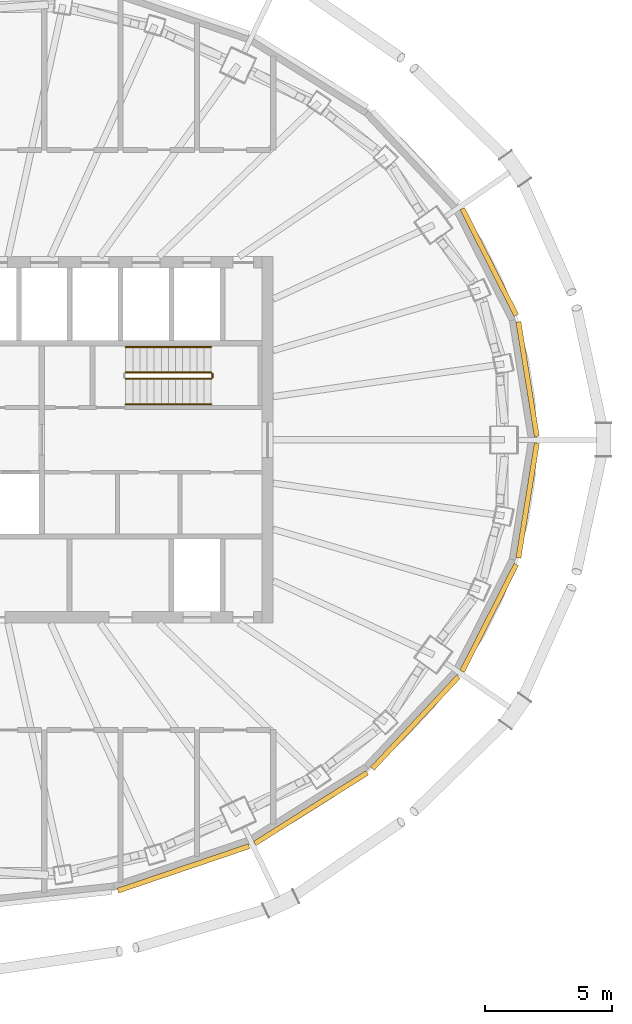
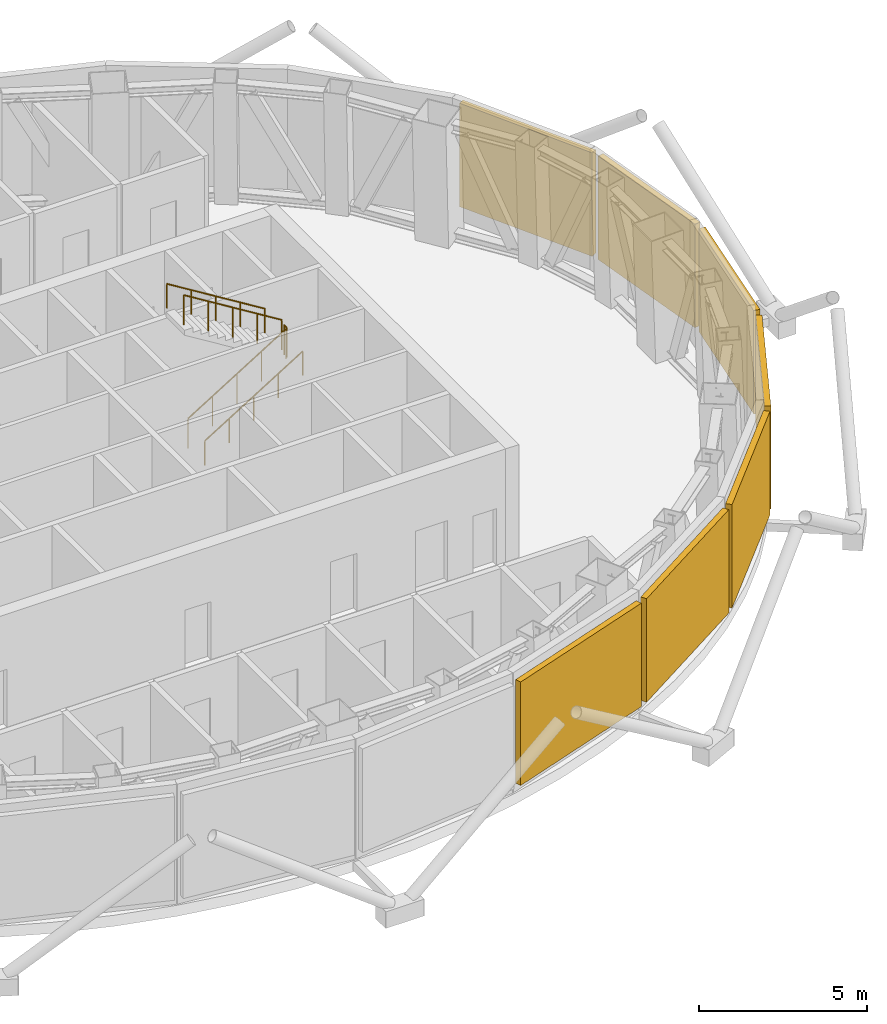
# One storey, part 14 of 15: 7 shading devices, 5 railings.
"""IFC4 building model written with IfcOpenShell, lengths in metres."""

from ifc_helpers import new_model, si_unit, direction, frame, origin, origin_2d, place, context, subcontext, project, spatial, rectangle, circle, extrude, material, layer, layer_set, type_object, element, save


model = new_model("IFC4")

# Units and contexts
model_context = context("Model", 3, precision=1e-05, world=origin(), true_north=direction((0.0, 1.0)))
body_context = subcontext(model_context, "Body", "Model", "MODEL_VIEW")
ifc_project = project(units=[si_unit("LENGTHUNIT", "METRE"), si_unit("AREAUNIT", "SQUARE_METRE"), si_unit("VOLUMEUNIT", "CUBIC_METRE"), si_unit("PLANEANGLEUNIT", "RADIAN"), si_unit("MASSUNIT", "GRAM", prefix="KILO")], contexts=[model_context])

# Site, building, storey
site_placement = place(None, origin())
site = spatial("IfcSite", under=ifc_project, at=site_placement, CompositionType="ELEMENT")
building_placement = place(site_placement, origin())
building = spatial("IfcBuilding", under=site, at=building_placement, Name="Siaravel Broadcast Tower", CompositionType="ELEMENT")
storey_placement = place(building_placement, frame((0.0, 0.0, 212.60009765625)))
storey = spatial("IfcBuildingStorey", under=building, at=storey_placement, Name="L51", CompositionType="ELEMENT", Elevation=212.60009765625)

# Shading devices
ifc_material_1 = material(Name="Bronze anodised aluminium", Category="aluminium")
ifc_layer = layer(ifc_material_1, 0.199951171875)
ifc_layer_set = layer_set([ifc_layer], Name="Bronze anodised aluminium")
shading_device_type = type_object("IfcShadingDeviceType", Name="Plant louvre bank", PredefinedType="USERDEFINED", material=ifc_layer_set)
shading_device_1_placement = place(storey_placement, frame((21.99853515625, 2.386474609375, 0.2998046875), z_axis=(0.0, 0.0, 1.0), x_axis=(-0.158685394, 0.987329198, 0.0)))
element("IfcShadingDevice", 1, at=shading_device_1_placement, inside=storey, type_object=shading_device_type, Name="L51 plant louvre bank 01", ObjectType="LOUVRE", PredefinedType="USERDEFINED", context=body_context, shape_type="SweptSolid", body=[
    extrude(rectangle(XDim=4.5625, YDim=0.199951171875, at=origin_2d()), origin(), (0.0, 0.0, 1.0), 3.75),
])
shading_device_2_placement = place(storey_placement, frame((20.491943359375, 6.992919921875, 0.2998046875), z_axis=(0.0, 0.0, 1.0), x_axis=(-0.451260732, 0.892392151, 0.0)))
element("IfcShadingDevice", 2, at=shading_device_2_placement, inside=storey, type_object=shading_device_type, Name="L51 plant louvre bank 02", ObjectType="LOUVRE", PredefinedType="USERDEFINED", context=body_context, shape_type="SweptSolid", body=[
    extrude(rectangle(XDim=4.70849609375, YDim=0.199951171875, at=origin_2d()), origin(), (0.0, 0.0, 1.0), 3.75),
])
shading_device_3_placement = place(storey_placement, frame((8.47509765625, -16.843994140625, 0.2998046875), z_axis=(0.0, 0.0, 1.0), x_axis=(0.946977245, 0.321300635, 0.0)))
element("IfcShadingDevice", 3, at=shading_device_3_placement, inside=storey, type_object=shading_device_type, Name="L51 plant louvre bank 20", ObjectType="LOUVRE", PredefinedType="USERDEFINED", context=body_context, shape_type="SweptSolid", body=[
    extrude(rectangle(XDim=5.44140625, YDim=0.199951171875, at=origin_2d()), origin(), (0.0, 0.0, 1.0), 3.75),
])
shading_device_4_placement = place(storey_placement, frame((13.487548828125, -14.473388671875, 0.2998046875), z_axis=(0.0, 0.0, 1.0), x_axis=(0.846650436, 0.532149452, 0.0)))
element("IfcShadingDevice", 4, at=shading_device_4_placement, inside=storey, type_object=shading_device_type, Name="L51 plant louvre bank 21", ObjectType="LOUVRE", PredefinedType="USERDEFINED", context=body_context, shape_type="SweptSolid", body=[
    extrude(rectangle(XDim=5.2197265625, YDim=0.199951171875, at=origin_2d()), origin(), (0.0, 0.0, 1.0), 3.75),
])
shading_device_5_placement = place(storey_placement, frame((17.5869140625, -11.114990234375, 0.2998046875), z_axis=(0.0, 0.0, 1.0), x_axis=(0.683655992, 0.729804415, 0.0)))
element("IfcShadingDevice", 5, at=shading_device_5_placement, inside=storey, type_object=shading_device_type, Name="L51 plant louvre bank 22", ObjectType="LOUVRE", PredefinedType="USERDEFINED", context=body_context, shape_type="SweptSolid", body=[
    extrude(rectangle(XDim=4.9521484375, YDim=0.199951171875, at=origin_2d()), origin(), (0.0, 0.0, 1.0), 3.75),
])
shading_device_6_placement = place(storey_placement, frame((20.491943359375, -6.992919921875, 0.2998046875), z_axis=(0.0, 0.0, 1.0), x_axis=(0.451260732, 0.892392151, 0.0)))
element("IfcShadingDevice", 6, at=shading_device_6_placement, inside=storey, type_object=shading_device_type, Name="L51 plant louvre bank 23", ObjectType="LOUVRE", PredefinedType="USERDEFINED", context=body_context, shape_type="SweptSolid", body=[
    extrude(rectangle(XDim=4.70849609375, YDim=0.199951171875, at=origin_2d()), origin(), (0.0, 0.0, 1.0), 3.75),
])
shading_device_7_placement = place(storey_placement, frame((21.99853515625, -2.386474609375, 0.2998046875), z_axis=(0.0, 0.0, 1.0), x_axis=(0.158685394, 0.987329198, 0.0)))
element("IfcShadingDevice", 7, at=shading_device_7_placement, inside=storey, type_object=shading_device_type, Name="L51 plant louvre bank 24", ObjectType="LOUVRE", PredefinedType="USERDEFINED", context=body_context, shape_type="SweptSolid", body=[
    extrude(rectangle(XDim=4.5625, YDim=0.199951171875, at=origin_2d()), origin(), (0.0, 0.0, 1.0), 3.75),
])

# Railings
ifc_material_2 = material(Name="Stainless steel 316L", Category="steel")
railing_type_1 = type_object("IfcRailingType", Name="Stair guard 1100", PredefinedType="GUARDRAIL", material=ifc_material_2)
railing_1_placement = place(storey_placement, frame((6.199951171875, 2.39990234375, 0.173095703125)))
element("IfcRailing", 8, at=railing_1_placement, inside=storey, type_object=railing_type_1, Name="L51 ST-2 stair guard 1", PredefinedType="GUARDRAIL", context=body_context, shape_type="SweptSolid", body=[
    extrude(circle(Radius=0.02392578125, at=origin_2d()), frame((0.0, 0.0, 1.076171875), z_axis=(0.850623217, 0.0, 0.525775754), x_axis=(0.0, 1.0, 0.0)), (0.0, 0.0, 1.0), 3.9501953125),
    extrude(circle(Radius=0.02099609375, at=origin_2d()), origin(), (0.0, 0.0, 1.0), 1.052001953125),
    extrude(circle(Radius=0.02099609375, at=origin_2d()), frame((0.840087890625, 0.0, 0.519287109375)), (0.0, 0.0, 1.0), 1.052001953125),
    extrude(circle(Radius=0.02099609375, at=origin_2d()), frame((1.68017578125, 0.0, 1.03857421875)), (0.0, 0.0, 1.0), 1.052001953125),
    extrude(circle(Radius=0.02099609375, at=origin_2d()), frame((2.52001953125, 0.0, 1.5576171875)), (0.0, 0.0, 1.0), 1.052001953125),
    extrude(circle(Radius=0.02099609375, at=origin_2d()), frame((3.360107421875, 0.0, 2.076904296875)), (0.0, 0.0, 1.0), 1.052001953125),
])
railing_2_placement = place(storey_placement, frame((9.610107421875, 2.449951171875, 2.25)))
element("IfcRailing", 9, at=railing_2_placement, inside=storey, type_object=railing_type_1, Name="L51 ST-2 stair guard 2", PredefinedType="GUARDRAIL", context=body_context, shape_type="SweptSolid", body=[
    extrude(circle(Radius=0.02392578125, at=origin_2d()), frame((0.0, 0.0, 1.076171875), z_axis=(0.0, 1.0, 0.0), x_axis=(-1.0, 0.0, 0.0)), (0.0, 0.0, 1.0), 0.150146484375),
    extrude(circle(Radius=0.02099609375, at=origin_2d()), origin(), (0.0, 0.0, 1.0), 1.052001953125),
    extrude(circle(Radius=0.02099609375, at=origin_2d()), frame((0.0, 0.150146484375, 0.0)), (0.0, 0.0, 1.0), 1.052001953125),
])
railing_3_placement = place(storey_placement, frame((9.56005859375, 2.64990234375, 2.423095703125)))
element("IfcRailing", 10, at=railing_3_placement, inside=storey, type_object=railing_type_1, Name="L51 ST-2 stair guard 3", PredefinedType="GUARDRAIL", context=body_context, shape_type="SweptSolid", body=[
    extrude(circle(Radius=0.02392578125, at=origin_2d()), frame((0.0, 0.0, 1.076171875), z_axis=(-0.850623217, 0.0, 0.525775754), x_axis=(0.0, -1.0, 0.0)), (0.0, 0.0, 1.0), 3.9501953125),
    extrude(circle(Radius=0.02099609375, at=origin_2d()), origin(), (0.0, 0.0, 1.0), 1.052001953125),
    extrude(circle(Radius=0.02099609375, at=origin_2d()), frame((-0.840087890625, 0.0, 0.519287109375)), (0.0, 0.0, 1.0), 1.052001953125),
    extrude(circle(Radius=0.02099609375, at=origin_2d()), frame((-1.68017578125, 0.0, 1.03857421875)), (0.0, 0.0, 1.0), 1.052001953125),
    extrude(circle(Radius=0.02099609375, at=origin_2d()), frame((-2.52001953125, 0.0, 1.5576171875)), (0.0, 0.0, 1.0), 1.052001953125),
    extrude(circle(Radius=0.02099609375, at=origin_2d()), frame((-3.360107421875, 0.0, 2.076904296875)), (0.0, 0.0, 1.0), 1.052001953125),
])
railing_type_2 = type_object("IfcRailingType", Name="Stair handrail 900", PredefinedType="HANDRAIL", material=ifc_material_2)
railing_4_placement = place(storey_placement, frame((6.199951171875, 1.39990234375, 0.173095703125)))
element("IfcRailing", 11, at=railing_4_placement, inside=storey, type_object=railing_type_2, Name="L51 ST-2 stair handrail 1", PredefinedType="HANDRAIL", context=body_context, shape_type="SweptSolid", body=[
    extrude(circle(Radius=0.02392578125, at=origin_2d()), frame((0.0, 0.0, 0.8759765625), z_axis=(0.850623217, 0.0, 0.525775754), x_axis=(0.0, 1.0, 0.0)), (0.0, 0.0, 1.0), 3.9501953125),
    extrude(circle(Radius=0.02099609375, at=origin_2d()), origin(), (0.0, 0.0, 1.0), 0.851806640625),
    extrude(circle(Radius=0.02099609375, at=origin_2d()), frame((0.840087890625, 0.0, 0.519287109375)), (0.0, 0.0, 1.0), 0.851806640625),
    extrude(circle(Radius=0.02099609375, at=origin_2d()), frame((1.68017578125, 0.0, 1.03857421875)), (0.0, 0.0, 1.0), 0.851806640625),
    extrude(circle(Radius=0.02099609375, at=origin_2d()), frame((2.52001953125, 0.0, 1.5576171875)), (0.0, 0.0, 1.0), 0.851806640625),
    extrude(circle(Radius=0.02099609375, at=origin_2d()), frame((3.360107421875, 0.0, 2.076904296875)), (0.0, 0.0, 1.0), 0.851806640625),
])
railing_5_placement = place(storey_placement, frame((9.56005859375, 3.64990234375, 2.423095703125)))
element("IfcRailing", 12, at=railing_5_placement, inside=storey, type_object=railing_type_2, Name="L51 ST-2 stair handrail 2", PredefinedType="HANDRAIL", context=body_context, shape_type="SweptSolid", body=[
    extrude(circle(Radius=0.02392578125, at=origin_2d()), frame((0.0, 0.0, 0.8759765625), z_axis=(-0.850623217, 0.0, 0.525775754), x_axis=(0.0, -1.0, 0.0)), (0.0, 0.0, 1.0), 3.9501953125),
    extrude(circle(Radius=0.02099609375, at=origin_2d()), origin(), (0.0, 0.0, 1.0), 0.851806640625),
    extrude(circle(Radius=0.02099609375, at=origin_2d()), frame((-0.840087890625, 0.0, 0.519287109375)), (0.0, 0.0, 1.0), 0.851806640625),
    extrude(circle(Radius=0.02099609375, at=origin_2d()), frame((-1.68017578125, 0.0, 1.03857421875)), (0.0, 0.0, 1.0), 0.851806640625),
    extrude(circle(Radius=0.02099609375, at=origin_2d()), frame((-2.52001953125, 0.0, 1.5576171875)), (0.0, 0.0, 1.0), 0.851806640625),
    extrude(circle(Radius=0.02099609375, at=origin_2d()), frame((-3.360107421875, 0.0, 2.076904296875)), (0.0, 0.0, 1.0), 0.851806640625),
])

save(model, "model.ifc")
